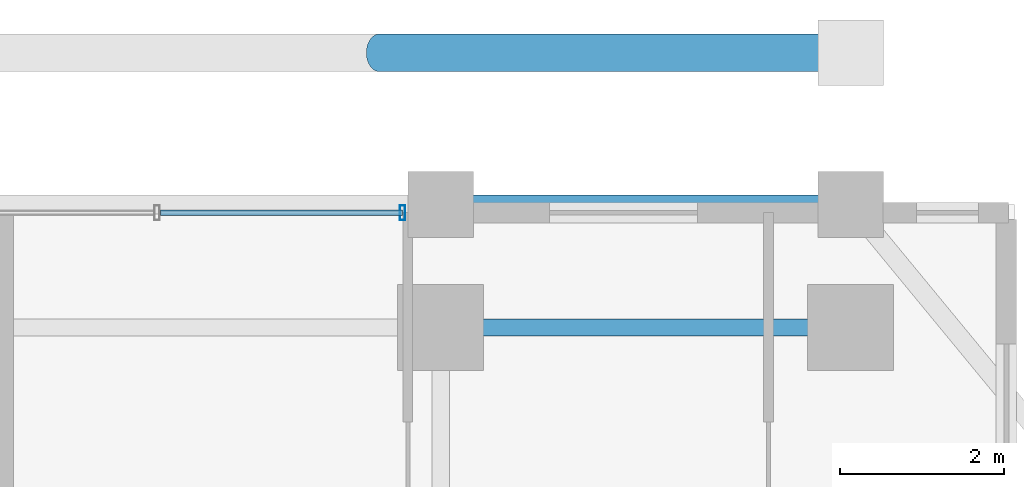
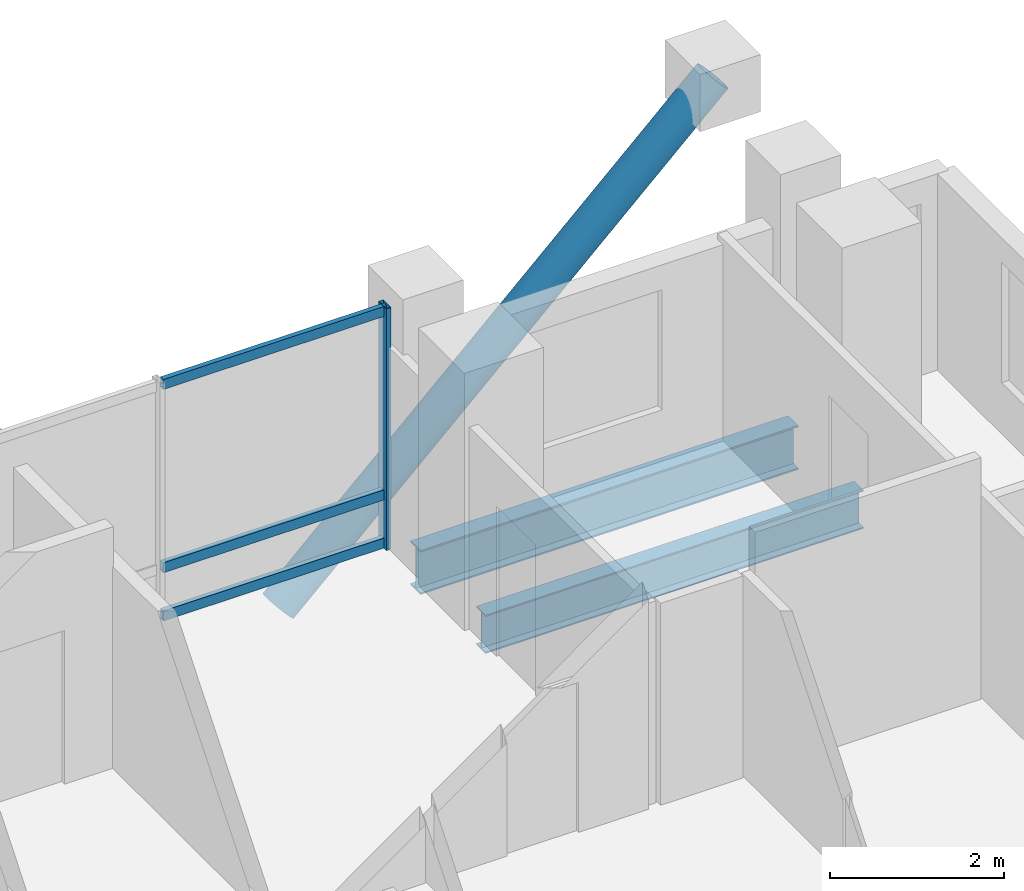
# One storey, part 16 of 24: 5 members, 2 beams, 1 element without a shape of its own.
"""IFC4 building model written with IfcOpenShell, lengths in metres."""

from ifc_helpers import new_model, si_unit, direction, frame, origin, origin_2d, place, context, subcontext, project, spatial, hollow_rectangle, hollow_circle, i_section, extrude, material, layer, layer_set, material_profile, profile_set, type_object, element, aggregate, save


model = new_model("IFC4")

# Units and contexts
model_context = context("Model", 3, precision=1e-05, world=origin(), true_north=direction((0.0, 1.0)))
body_context = subcontext(model_context, "Body", "Model", "MODEL_VIEW")
ifc_project = project(units=[si_unit("LENGTHUNIT", "METRE"), si_unit("AREAUNIT", "SQUARE_METRE"), si_unit("VOLUMEUNIT", "CUBIC_METRE"), si_unit("PLANEANGLEUNIT", "RADIAN"), si_unit("MASSUNIT", "GRAM", prefix="KILO")], contexts=[model_context])

# Site, building, storey
site_placement = place(None, origin())
site = spatial("IfcSite", under=ifc_project, at=site_placement, CompositionType="ELEMENT")
building_placement = place(site_placement, origin())
building = spatial("IfcBuilding", under=site, at=building_placement, Name="Barlavira Tower and Art Museum", CompositionType="ELEMENT")
storey_placement = place(building_placement, frame((0.0, 0.0, 183.60009765625)))
storey = spatial("IfcBuildingStorey", under=building, at=storey_placement, Name="L47", CompositionType="ELEMENT", Elevation=183.60009765625)

# Curtain wall, members
ifc_material_1 = material(Name="Low-iron coastal laminated glass", Category="glass")
ifc_layer = layer(ifc_material_1, 0.199951171875, Name="Low-iron coastal laminated glass")
ifc_layer_set = layer_set([ifc_layer], Name="Low-iron coastal laminated glass")
curtain_wall_type = type_object("IfcCurtainWallType", Name="Pale-Metal Unitised Curtain Wall Zone 3", PredefinedType="NOTDEFINED", material=ifc_layer_set)
curtain_wall_placement = place(storey_placement, origin())
curtain_wall = element("IfcCurtainWall", 1, at=curtain_wall_placement, inside=storey, type_object=curtain_wall_type, Name="L47 Curtain Wall CW3-L47-N-B3", PredefinedType="NOTDEFINED")
ifc_material_2 = material(Name="Pale anodised aluminium", Category="aluminium")
ifc_material_profile_1 = material_profile(ifc_material_2, hollow_rectangle(XDim=0.06494140625, YDim=0.179931640625, WallThickness=0.00390625, at=origin_2d()), Name="ALU-MULL 65x180x4")
ifc_profile_set_1 = profile_set([ifc_material_profile_1], Name="Pale anodised aluminium")
member_type_1 = type_object("IfcMemberType", Name="Curtain Wall Pale-Metal Mullion 65x180", PredefinedType="MULLION", material=ifc_profile_set_1)
member_1_placement = place(storey_placement, frame((6.034912109375, 21.39990234375, 0.0), z_axis=(0.0, 0.0, 1.0), x_axis=(-1.0, 0.0, 0.0)))
member_1 = element("IfcMember", 2, at=member_1_placement, type_object=member_type_1, Name="CW3-L47-N-B3 Mullion 0", PredefinedType="MULLION", context=body_context, shape_type="SweptSolid", body=[
    extrude(hollow_rectangle(XDim=0.06494140625, YDim=0.179931640625, WallThickness=0.00390625, at=origin_2d()), origin(), (0.0, 0.0, 1.0), 3.3798828125),
])
ifc_material_profile_2 = material_profile(ifc_material_2, hollow_rectangle(XDim=0.06494140625, YDim=0.139892578125, WallThickness=0.00390625, at=origin_2d()), Name="ALU-TRAN 65x140x4")
ifc_profile_set_2 = profile_set([ifc_material_profile_2], Name="Pale anodised aluminium")
member_type_2 = type_object("IfcMemberType", Name="Curtain Wall Pale-Metal Transom 65x140", PredefinedType="USERDEFINED", material=ifc_profile_set_2)
member_2_placement = place(storey_placement, frame((6.034912109375, 21.39990234375, 0.06982421875), z_axis=(-1.0, 0.0, 0.0), x_axis=(0.0, -1.0, 0.0)))
member_2 = element("IfcMember", 3, at=member_2_placement, type_object=member_type_2, Name="CW3-L47-N-B3 Transom 0.1", ObjectType="TRANSOM", PredefinedType="USERDEFINED", context=body_context, shape_type="SweptSolid", body=[
    extrude(hollow_rectangle(XDim=0.06494140625, YDim=0.139892578125, WallThickness=0.00390625, at=origin_2d()), origin(), (0.0, 0.0, 1.0), 2.949951171875),
])
member_3_placement = place(storey_placement, frame((6.034912109375, 21.39990234375, 0.743896484375), z_axis=(-1.0, 0.0, 0.0), x_axis=(0.0, -1.0, 0.0)))
member_3 = element("IfcMember", 4, at=member_3_placement, type_object=member_type_2, Name="CW3-L47-N-B3 Transom 0.2", ObjectType="TRANSOM", PredefinedType="USERDEFINED", context=body_context, shape_type="SweptSolid", body=[
    extrude(hollow_rectangle(XDim=0.06494140625, YDim=0.139892578125, WallThickness=0.00390625, at=origin_2d()), origin(), (0.0, 0.0, 1.0), 2.949951171875),
])
member_4_placement = place(storey_placement, frame((6.034912109375, 21.39990234375, 3.309814453125), z_axis=(-1.0, 0.0, 0.0), x_axis=(0.0, -1.0, 0.0)))
member_4 = element("IfcMember", 5, at=member_4_placement, type_object=member_type_2, Name="CW3-L47-N-B3 Transom 0.3", ObjectType="TRANSOM", PredefinedType="USERDEFINED", context=body_context, shape_type="SweptSolid", body=[
    extrude(hollow_rectangle(XDim=0.06494140625, YDim=0.139892578125, WallThickness=0.00390625, at=origin_2d()), origin(), (0.0, 0.0, 1.0), 2.949951171875),
])
aggregate(curtain_wall, [member_1, member_2, member_3, member_4])

# Member
ifc_material_3 = material(Name="Steel S355", Category="steel")
ifc_material_profile_3 = material_profile(ifc_material_3, hollow_circle(Radius=0.228515625, WallThickness=0.02001953125, at=origin_2d()), Name="CHS 457.0x20.0")
ifc_profile_set_3 = profile_set([ifc_material_profile_3], Name="Steel S355")
member_type_3 = type_object("IfcMemberType", Name="Pale-Metal Exoskeleton Diagrid Tube CHS 457x20 Steel S355", PredefinedType="BRACE", material=ifc_profile_set_3)
member_5_placement = place(storey_placement, frame((5.75, 23.35009765625, -1.920166015625), z_axis=(0.728934650808, 0.0, 0.684583285548), x_axis=(0.0, 1.0, 0.0)))
element("IfcMember", 6, at=member_5_placement, inside=storey, type_object=member_type_3, Name="L47 Exoskeleton Diagrid Tube N", PredefinedType="BRACE", context=body_context, shape_type="SweptSolid", body=[
    extrude(hollow_circle(Radius=0.228515625, WallThickness=0.02001953125, at=origin_2d()), origin(), (0.0, 0.0, 1.0), 7.88818359375),
])

# Beams
ifc_material_profile_4 = material_profile(ifc_material_3, i_section(OverallWidth=0.22998046875, OverallDepth=0.616943359375, WebThickness=0.01318359375, FlangeThickness=0.022216796875, at=origin_2d()), Name="W610x140.0")
ifc_profile_set_4 = profile_set([ifc_material_profile_4], Name="Steel S355")
beam_type_1 = type_object("IfcBeamType", Name="Upper Shaft Spandrel Edge Beam W610x140 Steel S355", PredefinedType="SPANDREL", material=ifc_profile_set_4)
beam_1_placement = place(storey_placement, frame((6.5, 21.5, -0.528564453125), z_axis=(1.0, 0.0, 0.0), x_axis=(0.0, 1.0, 0.0)))
element("IfcBeam", 7, at=beam_1_placement, inside=storey, type_object=beam_type_1, Name="L47 Spandrel 9", PredefinedType="SPANDREL", context=body_context, shape_type="SweptSolid", body=[
    extrude(i_section(OverallWidth=0.22998046875, OverallDepth=0.616943359375, WebThickness=0.01318359375, FlangeThickness=0.022216796875, at=origin_2d()), origin(), (0.0, 0.0, 1.0), 5.0),
])
ifc_material_profile_5 = material_profile(ifc_material_3, i_section(OverallWidth=0.2109375, OverallDepth=0.5390625, WebThickness=0.01171875, FlangeThickness=0.018798828125, at=origin_2d()), Name="W530x109.0")
ifc_profile_set_5 = profile_set([ifc_material_profile_5], Name="Steel S355")
beam_type_2 = type_object("IfcBeamType", Name="Zone 3-4 Primary Floor Girder W530x109 Steel S355", PredefinedType="BEAM", material=ifc_profile_set_5)
beam_2_placement = place(storey_placement, frame((6.5, 20.0, -0.489501953125), z_axis=(1.0, 0.0, 0.0), x_axis=(0.0, 1.0, 0.0)))
element("IfcBeam", 8, at=beam_2_placement, inside=storey, type_object=beam_type_2, Name="L47 Girder M-N3", PredefinedType="BEAM", context=body_context, shape_type="SweptSolid", body=[
    extrude(i_section(OverallWidth=0.2109375, OverallDepth=0.5390625, WebThickness=0.01171875, FlangeThickness=0.018798828125, at=origin_2d()), origin(), (0.0, 0.0, 1.0), 5.0),
])

save(model, "model.ifc")
